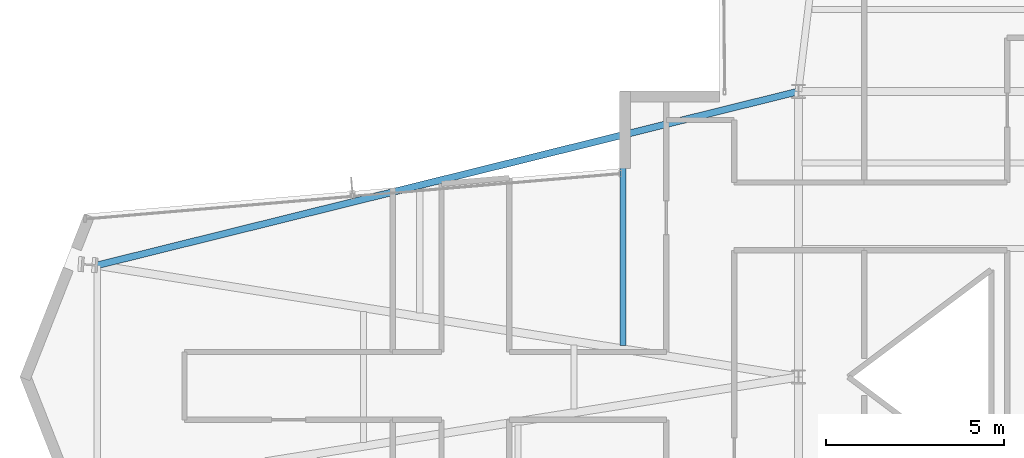
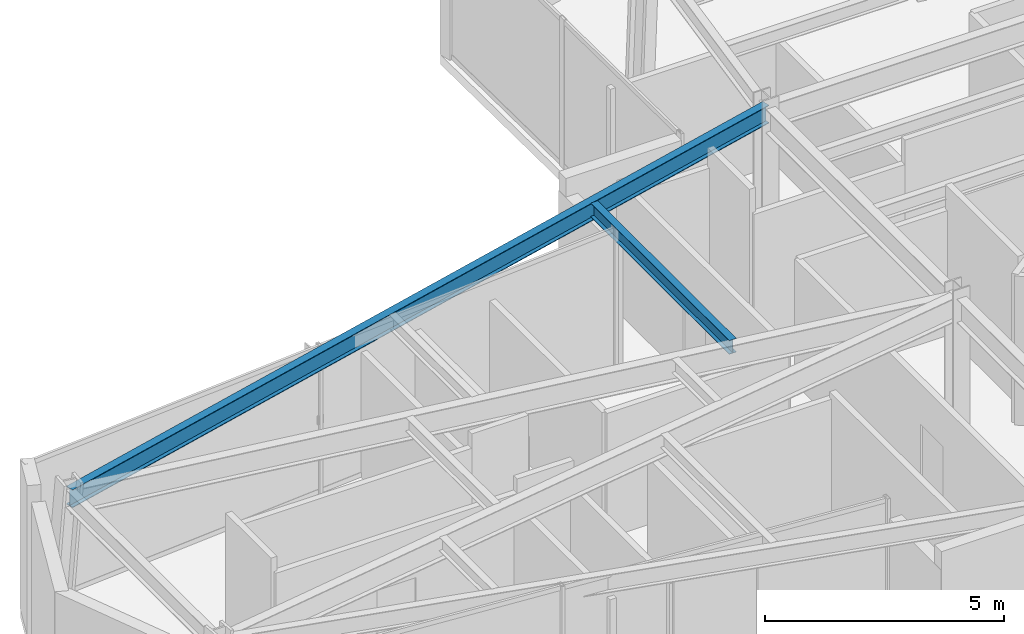
# One storey, part 9 of 25: 2 beams.
"""IFC4 building model written with IfcOpenShell, lengths in metres."""

import ifcopenshell
import ifcopenshell.guid

model = None  # the IFC model being written
_history = None  # IfcOwnerHistory: only IFC2X3 demands one
_inside = {}  # id of a spatial element -> (the spatial element, [elements in it])
_under = {}  # id of a project, library or spatial element -> (it, [spatial elements below it])
_declared = {}  # id of a project -> (the project, [libraries it declares])
_typed = {}  # id of a type object -> (the type object, [elements of that type])
_made_of = {}  # id of a material, layer set ... -> (it, [elements and type objects made of it])


def new_model(schema):
    """Start an empty IFC model of exactly this schema.

    Asked for "IFC4X3", IfcOpenShell would pick the latest addendum, in which some entities
    have other attributes; the version numbers below select the first issue.
    IFC2X3 requires an IfcOwnerHistory on every rooted entity: one is made here for all.
    """
    global model, _history
    if schema == "IFC4X3":
        model = ifcopenshell.file(schema_version=(4, 3, 0, 0))
    else:
        model = ifcopenshell.file(schema=schema)
    _inside.clear()
    _under.clear()
    _declared.clear()
    _typed.clear()
    _made_of.clear()
    _history = None
    if model.schema == "IFC2X3":
        org = make("IfcOrganization", Name="unknown")
        user = make(
            "IfcPersonAndOrganization",
            ThePerson=make("IfcPerson", FamilyName="unknown"),
            TheOrganization=org,
        )
        app = make(
            "IfcApplication",
            ApplicationDeveloper=org,
            Version="unknown",
            ApplicationFullName="unknown",
            ApplicationIdentifier="unknown",
        )
        _history = make(
            "IfcOwnerHistory",
            OwningUser=user,
            OwningApplication=app,
            ChangeAction="ADDED",
            CreationDate=0,
        )
    return model


def make(cls, **values):
    """One entity of the class cls with the attributes given. An attribute that is None is left unset."""
    return model.create_entity(
        cls, **{name: value for name, value in values.items() if value is not None}
    )


def rooted(cls, **values):
    """An entity with a GlobalId (a new one), such as an element, a storey or a relation."""
    return make(cls, GlobalId=ifcopenshell.guid.new(), OwnerHistory=_history, **values)


def si_unit(unit_type, name, prefix=None):
    """IfcSIUnit, for example si_unit("LENGTHUNIT", "METRE", prefix="MILLI")."""
    return make("IfcSIUnit", UnitType=unit_type, Prefix=prefix, Name=name)


def assignment(units):
    """IfcUnitAssignment: the units of a project."""
    return None if units is None else make("IfcUnitAssignment", Units=units)


def point(xyz):
    """IfcCartesianPoint."""
    return None if xyz is None else make("IfcCartesianPoint", Coordinates=xyz)


def direction(xyz):
    """IfcDirection."""
    return None if xyz is None else make("IfcDirection", DirectionRatios=xyz)


def frame(location, z_axis=None, x_axis=None):
    """IfcAxis2Placement3D, a coordinate frame: its origin and axes. An axis left out is left unset."""
    return make(
        "IfcAxis2Placement3D",
        Location=point(location),
        Axis=direction(z_axis),
        RefDirection=direction(x_axis),
    )


def frame_2d(location, x_axis=None):
    """IfcAxis2Placement2D, a coordinate frame in the plane: its origin and x axis."""
    return make(
        "IfcAxis2Placement2D", Location=point(location), RefDirection=direction(x_axis)
    )


def origin():
    """The frame at (0, 0, 0) with its axes left unset."""
    return frame((0.0, 0.0, 0.0))


def origin_2d():
    """The frame at (0, 0) in the plane with its x axis left unset."""
    return frame_2d((0.0, 0.0))


def place(relative_to, where):
    """IfcLocalPlacement: puts the frame where relative to a parent placement (None: the world)."""
    return make(
        "IfcLocalPlacement", PlacementRelTo=relative_to, RelativePlacement=where
    )


def context(
    kind, dimensions, precision=None, world=None, true_north=None, identifier=None
):
    """IfcGeometricRepresentationContext, for example the 3D "Model" context."""
    return make(
        "IfcGeometricRepresentationContext",
        ContextIdentifier=identifier,
        ContextType=kind,
        CoordinateSpaceDimension=dimensions,
        Precision=precision,
        WorldCoordinateSystem=world,
        TrueNorth=true_north,
    )


def subcontext(parent, identifier, kind, view, scale=None):
    """IfcGeometricRepresentationSubContext, for example "Body" below "Model"."""
    return make(
        "IfcGeometricRepresentationSubContext",
        ContextIdentifier=identifier,
        ContextType=kind,
        ParentContext=parent,
        TargetScale=scale,
        TargetView=view,
    )


def project(units=None, contexts=None):
    """IfcProject with its units and contexts."""
    return rooted(
        "IfcProject",
        Name="project",
        RepresentationContexts=contexts,
        UnitsInContext=assignment(units),
    )


def spatial(cls, under=None, at=None, **own):
    """A site, building, storey or space (cls), placed at a placement, below another one or the project."""
    s = rooted(cls, ObjectPlacement=at, **own)
    if under is not None:
        _under.setdefault(under.id(), (under, []))[1].append(s)
    return s


def profile(cls, at=None, kind="AREA", **sizes):
    """A parametric profile (cls). Its sizes go by their IFC names, for example OverallWidth=200.0."""
    return make(cls, ProfileType=kind, Position=at, **sizes)


def i_section(**sizes):
    """IfcIShapeProfileDef."""
    return profile("IfcIShapeProfileDef", **sizes)


def extrude(swept, where, along, depth):
    """IfcExtrudedAreaSolid: the profile swept, set in the frame where, extruded along a direction by depth."""
    return make(
        "IfcExtrudedAreaSolid",
        SweptArea=swept,
        Position=where,
        ExtrudedDirection=direction(along),
        Depth=depth,
    )


def shape(context_of_items, identifier, shape_type, items):
    """IfcShapeRepresentation: the items that make up one representation, for example the "Body"."""
    return make(
        "IfcShapeRepresentation",
        ContextOfItems=context_of_items,
        RepresentationIdentifier=identifier,
        RepresentationType=shape_type,
        Items=items,
    )


def material(Name=None, Category=None):
    """IfcMaterial."""
    return make("IfcMaterial", Name=Name, Category=Category)


def material_profile(
    of_material, cross_section, Name=None, Category=None, Priority=None
):
    """IfcMaterialProfile: a cross section and its material."""
    return make(
        "IfcMaterialProfile",
        Name=Name,
        Material=of_material,
        Profile=cross_section,
        Priority=Priority,
        Category=Category,
    )


def profile_set(profiles, Name=None, composite=None):
    """IfcMaterialProfileSet."""
    return make(
        "IfcMaterialProfileSet",
        Name=Name,
        MaterialProfiles=profiles,
        CompositeProfile=composite,
    )


def made_of(thing, what):
    """Note that an element or type object is made of a material, layer set ...; save() writes the relation."""
    if what is not None:
        _made_of.setdefault(what.id(), (what, []))[1].append(thing)
    return thing


def type_object(cls, material=None, **own):
    """A type object (cls), such as IfcWallType, which elements share."""
    return made_of(rooted(cls, **own), material)


def element(
    cls,
    number,
    at=None,
    inside=None,
    cuts=None,
    type_object=None,
    material=None,
    context=None,
    identifier="Body",
    shape_type=None,
    held_by="IfcProductDefinitionShape",
    body=None,
    shapes=None,
    **own,
):
    """One element of the class cls, such as IfcWall. Its Tag is "e" and its number.

    at: its placement. inside: the storey or other place that contains it. cuts: it is an
    opening in that element (IfcRelVoidsElement). A single representation is given by context,
    identifier, shape_type and body (its items); several are given by shapes. held_by: the class
    of the entity that holds the representations. save() writes the other relations.
    """
    e = rooted(cls, Tag="e%d" % number, ObjectPlacement=at, **own)
    if body is not None:
        shapes = [shape(context, identifier, shape_type, body)]
    if shapes is not None:
        e.Representation = make(held_by, Representations=shapes)
    if inside is not None:
        _inside.setdefault(inside.id(), (inside, []))[1].append(e)
    if cuts is not None:
        rooted(
            "IfcRelVoidsElement", RelatingBuildingElement=cuts, RelatedOpeningElement=e
        )
    if type_object is not None:
        _typed.setdefault(type_object.id(), (type_object, []))[1].append(e)
    return made_of(e, material)


def aggregate(whole, parts):
    """IfcRelAggregates: a whole, such as a stair, and the parts it consists of."""
    return rooted("IfcRelAggregates", RelatingObject=whole, RelatedObjects=parts)


def save(model, path):
    """Write the relations noted so far, then the file.

    IfcRelAggregates (storeys below a building ...), IfcRelContainedInSpatialStructure (elements
    in a storey), IfcRelDefinesByType, IfcRelAssociatesMaterial and IfcRelDeclares: one each for
    every whole, place, type object, material and project.
    """
    for whole, parts in _under.values():
        aggregate(whole, parts)
    for where, things in _inside.values():
        rooted(
            "IfcRelContainedInSpatialStructure",
            RelatedElements=things,
            RelatingStructure=where,
        )
    for kind, things in _typed.values():
        rooted("IfcRelDefinesByType", RelatedObjects=things, RelatingType=kind)
    for what, things in _made_of.values():
        rooted("IfcRelAssociatesMaterial", RelatedObjects=things, RelatingMaterial=what)
    for by, libraries in _declared.values():
        rooted("IfcRelDeclares", RelatingContext=by, RelatedDefinitions=libraries)
    model.write(path)


model = new_model("IFC4")

# Units and contexts
model_context = context("Model", 3, precision=1e-05, world=origin(), true_north=direction((0.0, 1.0)))
body_context = subcontext(model_context, "Body", "Model", "MODEL_VIEW")
ifc_project = project(units=[si_unit("LENGTHUNIT", "METRE"), si_unit("AREAUNIT", "SQUARE_METRE"), si_unit("VOLUMEUNIT", "CUBIC_METRE"), si_unit("PLANEANGLEUNIT", "RADIAN"), si_unit("MASSUNIT", "GRAM", prefix="KILO")], contexts=[model_context])

# Site, building, storey
site_placement = place(None, origin())
site = spatial("IfcSite", under=ifc_project, at=site_placement, CompositionType="ELEMENT")
building_placement = place(site_placement, origin())
building = spatial("IfcBuilding", under=site, at=building_placement, Name="Veymaron Broadcast Tower", CompositionType="ELEMENT")
storey_placement = place(building_placement, frame((0.0, 0.0, 149.25)))
storey = spatial("IfcBuildingStorey", under=building, at=storey_placement, Name="L34", CompositionType="ELEMENT", Elevation=149.25)

# Beams
ifc_material = material(Name="Structural steel ASTM A992 Gr 50", Category="steel")
ifc_material_profile_1 = material_profile(ifc_material, i_section(OverallWidth=0.1708984375, OverallDepth=0.35498046875, WebThickness=0.007080078125, FlangeThickness=0.01171875, at=origin_2d()), Name="W360X51")
ifc_profile_set_1 = profile_set([ifc_material_profile_1], Name="Structural steel ASTM A992 Gr 50")
beam_type_1 = type_object("IfcBeamType", Name="BM-JS2", PredefinedType="JOIST", material=ifc_profile_set_1)
beam_1_placement = place(storey_placement, frame((26.288330078125, 24.882080078125, 3.632568359375), z_axis=(0.0, 1.0, 0.0), x_axis=(-1.0, 0.0, 0.0)))
element("IfcBeam", 1, at=beam_1_placement, inside=storey, type_object=beam_type_1, Name="L34 Arm-A secondary joist 2N", PredefinedType="JOIST", context=body_context, shape_type="SweptSolid", body=[
    extrude(i_section(OverallWidth=0.1708984375, OverallDepth=0.35498046875, WebThickness=0.007080078125, FlangeThickness=0.01171875, at=origin_2d()), origin(), (0.0, 0.0, 1.0), 5.7998046875),
])
ifc_material_profile_2 = material_profile(ifc_material, i_section(OverallWidth=0.19091796875, OverallDepth=0.4599609375, WebThickness=0.010009765625, FlangeThickness=0.01611328125, at=origin_2d()), Name="W460X82")
ifc_profile_set_2 = profile_set([ifc_material_profile_2], Name="Structural steel ASTM A992 Gr 50")
beam_type_2 = type_object("IfcBeamType", Name="BM-SP1", PredefinedType="SPANDREL", material=ifc_profile_set_2)
beam_2_placement = place(storey_placement, frame((11.5537109375, 27.1279296875, 3.580078125), z_axis=(0.970599808428, 0.24069900681, 0.0), x_axis=(-0.24069900681, 0.970599808428, 0.0)))
element("IfcBeam", 2, at=beam_2_placement, inside=storey, type_object=beam_type_2, Name="L34 primary structural floor girder", PredefinedType="SPANDREL", context=body_context, shape_type="SweptSolid", body=[
    extrude(i_section(OverallWidth=0.19091796875, OverallDepth=0.4599609375, WebThickness=0.010009765625, FlangeThickness=0.01611328125, at=origin_2d()), origin(), (0.0, 0.0, 1.0), 20.241455078125),
])

save(model, "model.ifc")
